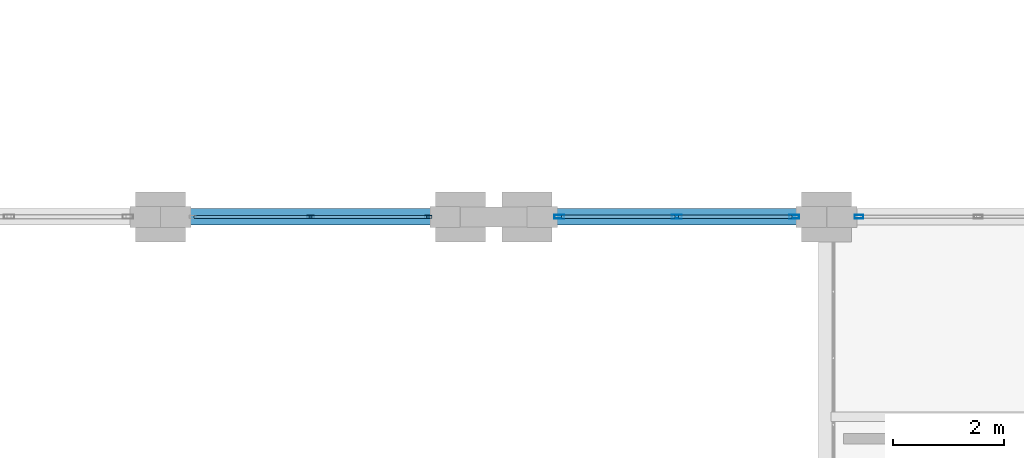
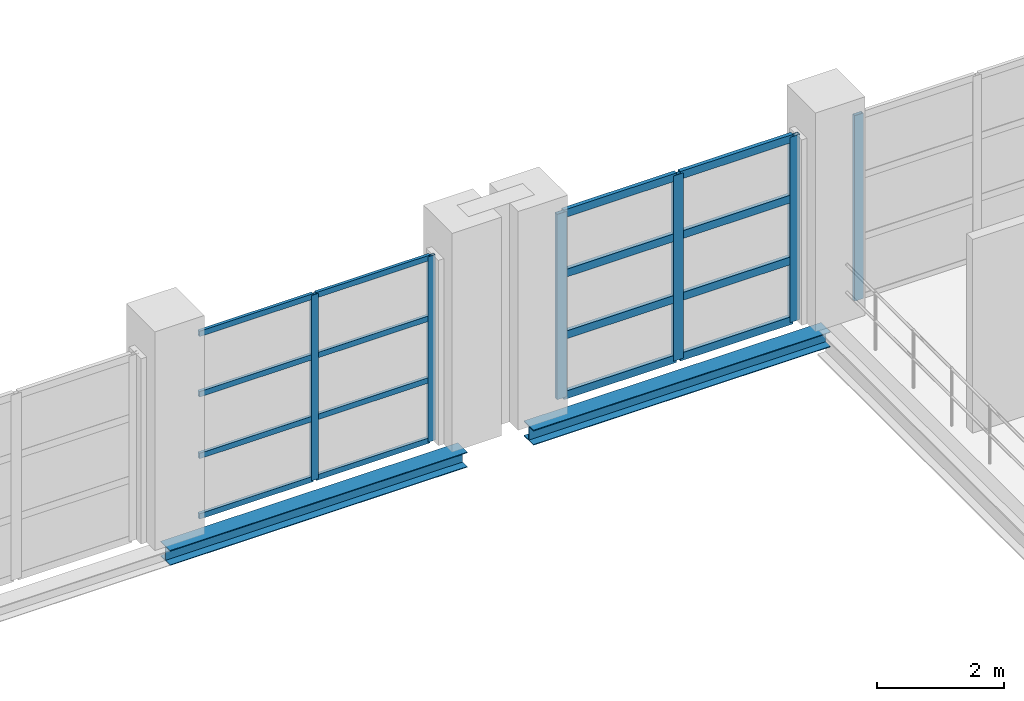
# One storey, part 77 of 158: 22 members, 2 beams, 3 elements without a shape of their own.
"""IFC4 building model written with IfcOpenShell, lengths in metres."""

from ifc_helpers import new_model, si_unit, direction, frame, origin, origin_2d, place, context, subcontext, project, spatial, hollow_rectangle, i_section, extrude, material, layer, layer_set, material_profile, profile_set, type_object, element, aggregate, save


model = new_model("IFC4")

# Units and contexts
model_context = context("Model", 3, precision=1e-05, world=origin(), true_north=direction((0.0, 1.0)))
body_context = subcontext(model_context, "Body", "Model", "MODEL_VIEW")
ifc_project = project(units=[si_unit("LENGTHUNIT", "METRE"), si_unit("AREAUNIT", "SQUARE_METRE"), si_unit("VOLUMEUNIT", "CUBIC_METRE"), si_unit("PLANEANGLEUNIT", "RADIAN"), si_unit("MASSUNIT", "GRAM", prefix="KILO")], contexts=[model_context])

# Site, building, storey
site_placement = place(None, origin())
site = spatial("IfcSite", under=ifc_project, at=site_placement, CompositionType="ELEMENT")
building_placement = place(site_placement, origin())
building = spatial("IfcBuilding", under=site, at=building_placement, Name="Zilviju Railside Exhibition Hall", CompositionType="ELEMENT")
storey_placement = place(building_placement, frame((0.0, 0.0, 4.199951171875)))
storey = spatial("IfcBuildingStorey", under=building, at=storey_placement, Name="L02", CompositionType="ELEMENT", Elevation=4.199951171875)

# Beams
ifc_material_1 = material(Name="Steel S355J2", Category="steel")
ifc_material_profile_1 = material_profile(ifc_material_1, i_section(OverallWidth=0.300048828125, OverallDepth=0.2900390625, WebThickness=0.008544921875, FlangeThickness=0.013916015625, at=origin_2d()), Name="HEA 300")
ifc_profile_set_1 = profile_set([ifc_material_profile_1], Name="Steel S355J2")
beam_type = type_object("IfcBeamType", Name="BM-HEA300", PredefinedType="SPANDREL", material=ifc_profile_set_1)
for number, where, z_axis, x_axis, name in (
    (1, (168.0, 54.0, -0.48486328125), (1.0, 0.0, 0.0), (0.0, 1.0, 0.0), "Primary Girder L02 Y=54.0 (168.0..173.4)"),
    (2, (174.60009765625, 54.0, -0.48486328125), (1.0, 0.0, 0.0), (0.0, 1.0, 0.0), "Primary Girder L02 Y=54.0 (174.6..180.0)"),
):
    element("IfcBeam", number, at=place(storey_placement, frame(where, z_axis=z_axis, x_axis=x_axis)), inside=storey, type_object=beam_type, Name=name, PredefinedType="SPANDREL", context=body_context, shape_type="SweptSolid", body=[
        extrude(i_section(OverallWidth=0.300048828125, OverallDepth=0.2900390625, WebThickness=0.008544921875, FlangeThickness=0.013916015625, at=origin_2d()), origin(), (0.0, 0.0, 1.0), 5.39990234375),
    ])

# Curtain wall, members
ifc_material_2 = material(Name="Thermally broken aluminium-steel triple-glazed curtain wall", Category="steel")
ifc_layer_1 = layer(ifc_material_2, 0.179931640625)
ifc_layer_set_1 = layer_set([ifc_layer_1], Name="Thermally broken aluminium-steel triple-glazed curtain wall")
curtain_wall_type_1 = type_object("IfcCurtainWallType", Name="CW-BAY-04", PredefinedType="USERDEFINED", material=ifc_layer_set_1)
curtain_wall_1_placement = place(storey_placement, origin())
curtain_wall_1 = element("IfcCurtainWall", 3, at=curtain_wall_1_placement, inside=storey, type_object=curtain_wall_type_1, Name="South Hall Garden Court Curtain Wall L02 (168..173)", ObjectType="GLAZED CURTAIN WALL", PredefinedType="USERDEFINED")
ifc_material_3 = material(Name="Thermally broken anodized aluminium mullion", Category="aluminium")
ifc_material_profile_2 = material_profile(ifc_material_3, hollow_rectangle(XDim=0.054931640625, YDim=0.1298828125, WallThickness=0.0048828125, at=origin_2d()), Name="MULLION 130x55x5")
ifc_profile_set_2 = profile_set([ifc_material_profile_2], Name="Thermally broken anodized aluminium mullion")
member_type_1 = type_object("IfcMemberType", Name="CWM-55x130", PredefinedType="MULLION", material=ifc_profile_set_2)
member_1_placement = place(storey_placement, frame((170.699951171875, 54.0, 0.0), z_axis=(0.0, 0.0, 1.0), x_axis=(0.0, 1.0, 0.0)))
member_1 = element("IfcMember", 4, at=member_1_placement, type_object=member_type_1, Name="CW-04 mullion 2", PredefinedType="MULLION", context=body_context, shape_type="SweptSolid", body=[
    extrude(hollow_rectangle(XDim=0.054931640625, YDim=0.1298828125, WallThickness=0.0048828125, at=origin_2d()), origin(), (0.0, 0.0, 1.0), 3.56005859375),
])
member_2_placement = place(storey_placement, frame((172.822509765625, 54.0, 0.0), z_axis=(0.0, 0.0, 1.0), x_axis=(0.0, 1.0, 0.0)))
member_2 = element("IfcMember", 5, at=member_2_placement, type_object=member_type_1, Name="CW-04 mullion 3", PredefinedType="MULLION", context=body_context, shape_type="SweptSolid", body=[
    extrude(hollow_rectangle(XDim=0.054931640625, YDim=0.1298828125, WallThickness=0.0048828125, at=origin_2d()), origin(), (0.0, 0.0, 1.0), 3.56005859375),
])

# Curtain wall, member
ifc_layer_2 = layer(ifc_material_2, 0.179931640625)
ifc_layer_set_2 = layer_set([ifc_layer_2], Name="Thermally broken aluminium-steel triple-glazed curtain wall")
curtain_wall_type_2 = type_object("IfcCurtainWallType", Name="CW-BAY-06", PredefinedType="USERDEFINED", material=ifc_layer_set_2)
curtain_wall_2_placement = place(storey_placement, origin())
curtain_wall_2 = element("IfcCurtainWall", 6, at=curtain_wall_2_placement, inside=storey, type_object=curtain_wall_type_2, Name="South Hall Garden Court Curtain Wall L02 (180..192)", ObjectType="GLAZED CURTAIN WALL", PredefinedType="USERDEFINED")
ifc_material_profile_3 = material_profile(ifc_material_3, hollow_rectangle(XDim=0.06494140625, YDim=0.159912109375, WallThickness=0.0048828125, at=origin_2d()), Name="MULLION 160x65x5")
ifc_profile_set_3 = profile_set([ifc_material_profile_3], Name="Thermally broken anodized aluminium mullion")
member_type_2 = type_object("IfcMemberType", Name="CWM-65x160", PredefinedType="MULLION", material=ifc_profile_set_3)
member_3_placement = place(storey_placement, frame((180.58251953125, 54.0, 0.0), z_axis=(0.0, 0.0, 1.0), x_axis=(0.0, 1.0, 0.0)))
member_3 = element("IfcMember", 7, at=member_3_placement, type_object=member_type_2, Name="CW-06 mullion 1", PredefinedType="MULLION", context=body_context, shape_type="SweptSolid", body=[
    extrude(hollow_rectangle(XDim=0.06494140625, YDim=0.159912109375, WallThickness=0.0048828125, at=origin_2d()), origin(), (0.0, 0.0, 1.0), 3.56005859375),
])
aggregate(curtain_wall_2, [member_3])

# Curtain wall, members
ifc_layer_3 = layer(ifc_material_2, 0.179931640625)
ifc_layer_set_3 = layer_set([ifc_layer_3], Name="Thermally broken aluminium-steel triple-glazed curtain wall")
curtain_wall_type_3 = type_object("IfcCurtainWallType", Name="CW-BAY-05", PredefinedType="USERDEFINED", material=ifc_layer_set_3)
curtain_wall_3_placement = place(storey_placement, origin())
curtain_wall_3 = element("IfcCurtainWall", 8, at=curtain_wall_3_placement, inside=storey, type_object=curtain_wall_type_3, Name="South Hall Garden Court Curtain Wall L02 (175..180)", ObjectType="GLAZED CURTAIN WALL", PredefinedType="USERDEFINED")
ifc_material_profile_4 = material_profile(ifc_material_3, hollow_rectangle(XDim=0.070068359375, YDim=0.179931640625, WallThickness=0.0048828125, at=origin_2d()), Name="MULLION 180x70x5")
ifc_profile_set_4 = profile_set([ifc_material_profile_4], Name="Thermally broken anodized aluminium mullion")
member_type_3 = type_object("IfcMemberType", Name="CWM-70x180", PredefinedType="MULLION", material=ifc_profile_set_4)
member_4_placement = place(storey_placement, frame((175.18505859375, 54.0, 0.0), z_axis=(0.0, 0.0, 1.0), x_axis=(0.0, 1.0, 0.0)))
member_4 = element("IfcMember", 9, at=member_4_placement, type_object=member_type_3, Name="CW-05 mullion 1", PredefinedType="MULLION", context=body_context, shape_type="SweptSolid", body=[
    extrude(hollow_rectangle(XDim=0.070068359375, YDim=0.179931640625, WallThickness=0.0048828125, at=origin_2d()), origin(), (0.0, 0.0, 1.0), 3.56005859375),
])
member_5_placement = place(storey_placement, frame((177.300048828125, 54.0, 0.0), z_axis=(0.0, 0.0, 1.0), x_axis=(0.0, 1.0, 0.0)))
member_5 = element("IfcMember", 10, at=member_5_placement, type_object=member_type_3, Name="CW-05 mullion 2", PredefinedType="MULLION", context=body_context, shape_type="SweptSolid", body=[
    extrude(hollow_rectangle(XDim=0.070068359375, YDim=0.179931640625, WallThickness=0.0048828125, at=origin_2d()), origin(), (0.0, 0.0, 1.0), 3.56005859375),
])
member_6_placement = place(storey_placement, frame((179.4150390625, 54.0, 0.0), z_axis=(0.0, 0.0, 1.0), x_axis=(0.0, 1.0, 0.0)))
member_6 = element("IfcMember", 11, at=member_6_placement, type_object=member_type_3, Name="CW-05 mullion 3", PredefinedType="MULLION", context=body_context, shape_type="SweptSolid", body=[
    extrude(hollow_rectangle(XDim=0.070068359375, YDim=0.179931640625, WallThickness=0.0048828125, at=origin_2d()), origin(), (0.0, 0.0, 1.0), 3.56005859375),
])

# Member
ifc_material_4 = material(Name="Thermally broken anodized aluminium transom", Category="aluminium")
ifc_material_profile_5 = material_profile(ifc_material_4, hollow_rectangle(XDim=0.054931640625, YDim=0.10498046875, WallThickness=0.0048828125, at=origin_2d()), Name="TRANSOM 105x55x5")
ifc_profile_set_5 = profile_set([ifc_material_profile_5], Name="Thermally broken anodized aluminium transom")
member_type_4 = type_object("IfcMemberType", Name="CWT-55x105", PredefinedType="USERDEFINED", material=ifc_profile_set_5)
member_7_placement = place(storey_placement, frame((168.60498046875, 54.0, 0.027587890625), z_axis=(1.0, 0.0, 0.0), x_axis=(0.0, 1.0, 0.0)))
member_7 = element("IfcMember", 12, at=member_7_placement, type_object=member_type_4, Name="CW-04 transom 1.1", ObjectType="TRANSOM", PredefinedType="USERDEFINED", context=body_context, shape_type="SweptSolid", body=[
    extrude(hollow_rectangle(XDim=0.054931640625, YDim=0.10498046875, WallThickness=0.0048828125, at=origin_2d()), origin(), (0.0, 0.0, 1.0), 2.067626953125),
])

member_8_placement = place(storey_placement, frame((168.60498046875, 54.0, 1.18701171875), z_axis=(1.0, 0.0, 0.0), x_axis=(0.0, 1.0, 0.0)))
member_8 = element("IfcMember", 13, at=member_8_placement, type_object=member_type_4, Name="CW-04 transom 1.2", ObjectType="TRANSOM", PredefinedType="USERDEFINED", context=body_context, shape_type="SweptSolid", body=[
    extrude(hollow_rectangle(XDim=0.054931640625, YDim=0.10498046875, WallThickness=0.0048828125, at=origin_2d()), origin(), (0.0, 0.0, 1.0), 2.067626953125),
])

member_9_placement = place(storey_placement, frame((168.60498046875, 54.0, 2.373046875), z_axis=(1.0, 0.0, 0.0), x_axis=(0.0, 1.0, 0.0)))
member_9 = element("IfcMember", 14, at=member_9_placement, type_object=member_type_4, Name="CW-04 transom 1.3", ObjectType="TRANSOM", PredefinedType="USERDEFINED", context=body_context, shape_type="SweptSolid", body=[
    extrude(hollow_rectangle(XDim=0.054931640625, YDim=0.10498046875, WallThickness=0.0048828125, at=origin_2d()), origin(), (0.0, 0.0, 1.0), 2.067626953125),
])

member_10_placement = place(storey_placement, frame((168.60498046875, 54.0, 3.532470703125), z_axis=(1.0, 0.0, 0.0), x_axis=(0.0, 1.0, 0.0)))
member_10 = element("IfcMember", 15, at=member_10_placement, type_object=member_type_4, Name="CW-04 transom 1.4", ObjectType="TRANSOM", PredefinedType="USERDEFINED", context=body_context, shape_type="SweptSolid", body=[
    extrude(hollow_rectangle(XDim=0.054931640625, YDim=0.10498046875, WallThickness=0.0048828125, at=origin_2d()), origin(), (0.0, 0.0, 1.0), 2.067626953125),
])

member_11_placement = place(storey_placement, frame((170.7275390625, 54.0, 0.027587890625), z_axis=(1.0, 0.0, 0.0), x_axis=(0.0, 1.0, 0.0)))
member_11 = element("IfcMember", 16, at=member_11_placement, type_object=member_type_4, Name="CW-04 transom 2.1", ObjectType="TRANSOM", PredefinedType="USERDEFINED", context=body_context, shape_type="SweptSolid", body=[
    extrude(hollow_rectangle(XDim=0.054931640625, YDim=0.10498046875, WallThickness=0.0048828125, at=origin_2d()), origin(), (0.0, 0.0, 1.0), 2.0673828125),
])

member_12_placement = place(storey_placement, frame((170.7275390625, 54.0, 1.18701171875), z_axis=(1.0, 0.0, 0.0), x_axis=(0.0, 1.0, 0.0)))
member_12 = element("IfcMember", 17, at=member_12_placement, type_object=member_type_4, Name="CW-04 transom 2.2", ObjectType="TRANSOM", PredefinedType="USERDEFINED", context=body_context, shape_type="SweptSolid", body=[
    extrude(hollow_rectangle(XDim=0.054931640625, YDim=0.10498046875, WallThickness=0.0048828125, at=origin_2d()), origin(), (0.0, 0.0, 1.0), 2.0673828125),
])

member_13_placement = place(storey_placement, frame((170.7275390625, 54.0, 2.373046875), z_axis=(1.0, 0.0, 0.0), x_axis=(0.0, 1.0, 0.0)))
member_13 = element("IfcMember", 18, at=member_13_placement, type_object=member_type_4, Name="CW-04 transom 2.3", ObjectType="TRANSOM", PredefinedType="USERDEFINED", context=body_context, shape_type="SweptSolid", body=[
    extrude(hollow_rectangle(XDim=0.054931640625, YDim=0.10498046875, WallThickness=0.0048828125, at=origin_2d()), origin(), (0.0, 0.0, 1.0), 2.0673828125),
])

member_14_placement = place(storey_placement, frame((170.7275390625, 54.0, 3.532470703125), z_axis=(1.0, 0.0, 0.0), x_axis=(0.0, 1.0, 0.0)))
member_14 = element("IfcMember", 19, at=member_14_placement, type_object=member_type_4, Name="CW-04 transom 2.4", ObjectType="TRANSOM", PredefinedType="USERDEFINED", context=body_context, shape_type="SweptSolid", body=[
    extrude(hollow_rectangle(XDim=0.054931640625, YDim=0.10498046875, WallThickness=0.0048828125, at=origin_2d()), origin(), (0.0, 0.0, 1.0), 2.0673828125),
])

aggregate(curtain_wall_1, [member_1, member_2, member_7, member_8, member_9, member_10, member_11, member_12, member_13, member_14])

ifc_material_profile_6 = material_profile(ifc_material_4, hollow_rectangle(XDim=0.070068359375, YDim=0.14990234375, WallThickness=0.0048828125, at=origin_2d()), Name="TRANSOM 150x70x5")
ifc_profile_set_6 = profile_set([ifc_material_profile_6], Name="Thermally broken anodized aluminium transom")
member_type_5 = type_object("IfcMemberType", Name="CWT-70x150", PredefinedType="USERDEFINED", material=ifc_profile_set_6)
member_15_placement = place(storey_placement, frame((175.219970703125, 54.0, 0.03515625), z_axis=(1.0, 0.0, 0.0), x_axis=(0.0, 1.0, 0.0)))
member_15 = element("IfcMember", 20, at=member_15_placement, type_object=member_type_5, Name="CW-05 transom 1.1", ObjectType="TRANSOM", PredefinedType="USERDEFINED", context=body_context, shape_type="SweptSolid", body=[
    extrude(hollow_rectangle(XDim=0.070068359375, YDim=0.14990234375, WallThickness=0.0048828125, at=origin_2d()), origin(), (0.0, 0.0, 1.0), 2.044921875),
])

member_16_placement = place(storey_placement, frame((175.219970703125, 54.0, 1.18701171875), z_axis=(1.0, 0.0, 0.0), x_axis=(0.0, 1.0, 0.0)))
member_16 = element("IfcMember", 21, at=member_16_placement, type_object=member_type_5, Name="CW-05 transom 1.2", ObjectType="TRANSOM", PredefinedType="USERDEFINED", context=body_context, shape_type="SweptSolid", body=[
    extrude(hollow_rectangle(XDim=0.070068359375, YDim=0.14990234375, WallThickness=0.0048828125, at=origin_2d()), origin(), (0.0, 0.0, 1.0), 2.044921875),
])

member_17_placement = place(storey_placement, frame((175.219970703125, 54.0, 2.373046875), z_axis=(1.0, 0.0, 0.0), x_axis=(0.0, 1.0, 0.0)))
member_17 = element("IfcMember", 22, at=member_17_placement, type_object=member_type_5, Name="CW-05 transom 1.3", ObjectType="TRANSOM", PredefinedType="USERDEFINED", context=body_context, shape_type="SweptSolid", body=[
    extrude(hollow_rectangle(XDim=0.070068359375, YDim=0.14990234375, WallThickness=0.0048828125, at=origin_2d()), origin(), (0.0, 0.0, 1.0), 2.044921875),
])

member_18_placement = place(storey_placement, frame((175.219970703125, 54.0, 3.525146484375), z_axis=(1.0, 0.0, 0.0), x_axis=(0.0, 1.0, 0.0)))
member_18 = element("IfcMember", 23, at=member_18_placement, type_object=member_type_5, Name="CW-05 transom 1.4", ObjectType="TRANSOM", PredefinedType="USERDEFINED", context=body_context, shape_type="SweptSolid", body=[
    extrude(hollow_rectangle(XDim=0.070068359375, YDim=0.14990234375, WallThickness=0.0048828125, at=origin_2d()), origin(), (0.0, 0.0, 1.0), 2.044921875),
])

member_19_placement = place(storey_placement, frame((177.3349609375, 54.0, 0.03515625), z_axis=(1.0, 0.0, 0.0), x_axis=(0.0, 1.0, 0.0)))
member_19 = element("IfcMember", 24, at=member_19_placement, type_object=member_type_5, Name="CW-05 transom 2.1", ObjectType="TRANSOM", PredefinedType="USERDEFINED", context=body_context, shape_type="SweptSolid", body=[
    extrude(hollow_rectangle(XDim=0.070068359375, YDim=0.14990234375, WallThickness=0.0048828125, at=origin_2d()), origin(), (0.0, 0.0, 1.0), 2.044921875),
])

member_20_placement = place(storey_placement, frame((177.3349609375, 54.0, 1.18701171875), z_axis=(1.0, 0.0, 0.0), x_axis=(0.0, 1.0, 0.0)))
member_20 = element("IfcMember", 25, at=member_20_placement, type_object=member_type_5, Name="CW-05 transom 2.2", ObjectType="TRANSOM", PredefinedType="USERDEFINED", context=body_context, shape_type="SweptSolid", body=[
    extrude(hollow_rectangle(XDim=0.070068359375, YDim=0.14990234375, WallThickness=0.0048828125, at=origin_2d()), origin(), (0.0, 0.0, 1.0), 2.044921875),
])

member_21_placement = place(storey_placement, frame((177.3349609375, 54.0, 2.373046875), z_axis=(1.0, 0.0, 0.0), x_axis=(0.0, 1.0, 0.0)))
member_21 = element("IfcMember", 26, at=member_21_placement, type_object=member_type_5, Name="CW-05 transom 2.3", ObjectType="TRANSOM", PredefinedType="USERDEFINED", context=body_context, shape_type="SweptSolid", body=[
    extrude(hollow_rectangle(XDim=0.070068359375, YDim=0.14990234375, WallThickness=0.0048828125, at=origin_2d()), origin(), (0.0, 0.0, 1.0), 2.044921875),
])

member_22_placement = place(storey_placement, frame((177.3349609375, 54.0, 3.525146484375), z_axis=(1.0, 0.0, 0.0), x_axis=(0.0, 1.0, 0.0)))
member_22 = element("IfcMember", 27, at=member_22_placement, type_object=member_type_5, Name="CW-05 transom 2.4", ObjectType="TRANSOM", PredefinedType="USERDEFINED", context=body_context, shape_type="SweptSolid", body=[
    extrude(hollow_rectangle(XDim=0.070068359375, YDim=0.14990234375, WallThickness=0.0048828125, at=origin_2d()), origin(), (0.0, 0.0, 1.0), 2.044921875),
])

aggregate(curtain_wall_3, [member_4, member_5, member_6, member_15, member_16, member_17, member_18, member_19, member_20, member_21, member_22])

save(model, "model.ifc")
